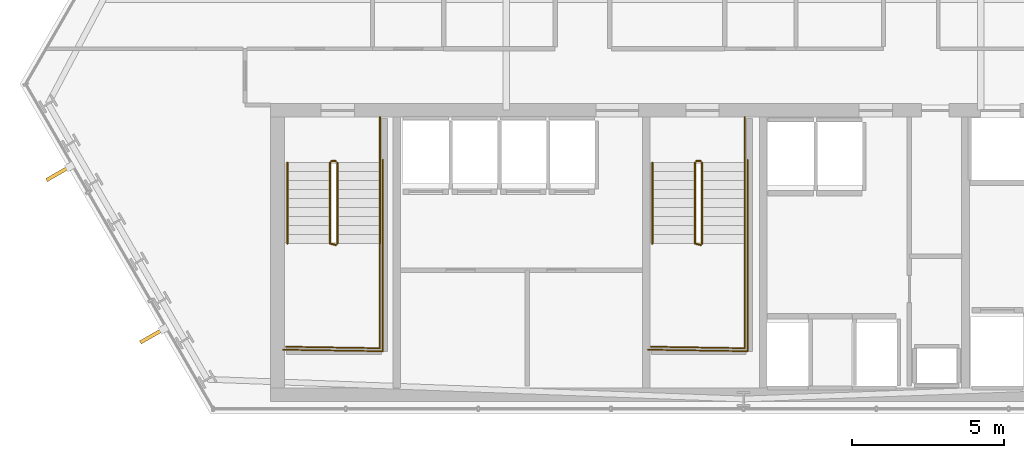
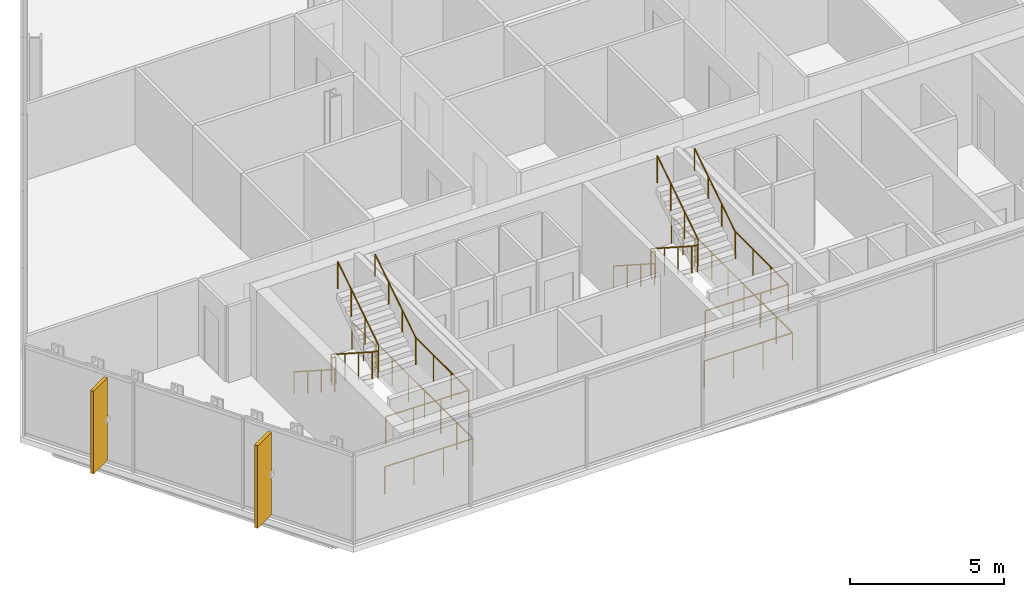
# One storey, part 29 of 32: 16 railings, 2 shading devices.
"""IFC4 building model written with IfcOpenShell, lengths in metres."""

from ifc_helpers import new_model, si_unit, direction, frame, origin, origin_2d, place, context, subcontext, project, spatial, rectangle, circle, extrude, material, layer, layer_set, type_object, element, save


model = new_model("IFC4")

# Units and contexts
model_context = context("Model", 3, precision=1e-05, world=origin(), true_north=direction((0.0, 1.0)))
body_context = subcontext(model_context, "Body", "Model", "MODEL_VIEW")
ifc_project = project(units=[si_unit("LENGTHUNIT", "METRE"), si_unit("AREAUNIT", "SQUARE_METRE"), si_unit("VOLUMEUNIT", "CUBIC_METRE"), si_unit("PLANEANGLEUNIT", "RADIAN"), si_unit("MASSUNIT", "GRAM", prefix="KILO")], contexts=[model_context])

# Site, building, storey
site_placement = place(None, origin())
site = spatial("IfcSite", under=ifc_project, at=site_placement, CompositionType="ELEMENT")
building_placement = place(site_placement, origin())
building = spatial("IfcBuilding", under=site, at=building_placement, Name="Ndaravel Arena Tower", CompositionType="ELEMENT")
storey_placement = place(building_placement, frame((0.0, 0.0, 130.800048828125)))
storey = spatial("IfcBuildingStorey", under=building, at=storey_placement, Name="L30", CompositionType="ELEMENT", Elevation=130.800048828125)

# Railings
ifc_material_1 = material(Name="Steel S355", Category="steel")
ifc_layer_1 = layer(ifc_material_1, 0.06005859375)
ifc_layer_set_1 = layer_set([ifc_layer_1], Name="Steel S355")
railing_type_1 = type_object("IfcRailingType", Name="RAIL-STAIR-GD1100", PredefinedType="GUARDRAIL", material=ifc_layer_set_1)
railing_1_placement = place(storey_placement, frame((28.39990234375, 13.25, 0.18994140625)))
element("IfcRailing", 1, at=railing_1_placement, inside=storey, type_object=railing_type_1, Name="L30 ST-1 stair guard 1", PredefinedType="GUARDRAIL", context=body_context, shape_type="SweptSolid", body=[
    extrude(circle(Radius=0.02392578125, at=origin_2d()), frame((0.0, 0.0, 1.076171875), z_axis=(0.0, -0.840723540582, 0.54146461409), x_axis=(1.0, 0.0, 0.0)), (0.0, 0.0, 1.0), 3.157958984375),
    extrude(circle(Radius=0.02392578125, at=origin_2d()), frame((0.0, -2.655029296875, 2.7861328125), z_axis=(0.967074537263, -0.25449329928, 0.0), x_axis=(0.25449329928, 0.967074537263, 0.0)), (0.0, 0.0, 1.0), 0.19677734375),
    extrude(circle(Radius=0.02099609375, at=origin_2d()), origin(), (0.0, 0.0, 1.0), 1.052001953125),
    extrude(circle(Radius=0.02099609375, at=origin_2d()), frame((0.0, -0.885009765625, 0.570068359375)), (0.0, 0.0, 1.0), 1.052001953125),
    extrude(circle(Radius=0.02099609375, at=origin_2d()), frame((0.0, -1.77001953125, 1.139892578125)), (0.0, 0.0, 1.0), 1.052001953125),
    extrude(circle(Radius=0.02099609375, at=origin_2d()), frame((0.0, -2.655029296875, 1.7099609375)), (0.0, 0.0, 1.0), 1.052001953125),
    extrude(circle(Radius=0.02099609375, at=origin_2d()), frame((0.190185546875, -2.705078125, 1.7099609375)), (0.0, 0.0, 1.0), 1.052001953125),
])
railing_2_placement = place(storey_placement, frame((30.0400390625, 10.594970703125, 1.89990234375)))
element("IfcRailing", 2, at=railing_2_placement, inside=storey, type_object=railing_type_1, Name="L30 ST-1 stair guard 2", PredefinedType="GUARDRAIL", context=body_context, shape_type="SweptSolid", body=[
    extrude(circle(Radius=0.02392578125, at=origin_2d()), frame((0.0, 0.0, 1.076171875), z_axis=(0.0, -1.0, 0.0), x_axis=(1.0, 0.0, 0.0)), (0.0, 0.0, 1.0), 3.445068359375),
    extrude(circle(Radius=0.02392578125, at=origin_2d()), frame((0.0, -3.445068359375, 1.076171875), z_axis=(-0.999868861343, 0.016194447071, 0.0), x_axis=(-0.016194447071, -0.999868861343, 0.0)), (0.0, 0.0, 1.0), 3.090576171875),
    extrude(circle(Radius=0.02099609375, at=origin_2d()), origin(), (0.0, 0.0, 1.0), 1.052001953125),
    extrude(circle(Radius=0.02099609375, at=origin_2d()), frame((0.0, -1.1484375, 0.0)), (0.0, 0.0, 1.0), 1.052001953125),
    extrude(circle(Radius=0.02099609375, at=origin_2d()), frame((0.0, -2.296630859375, 0.0)), (0.0, 0.0, 1.0), 1.052001953125),
    extrude(circle(Radius=0.02099609375, at=origin_2d()), frame((0.0, -3.445068359375, 0.0)), (0.0, 0.0, 1.0), 1.052001953125),
    extrude(circle(Radius=0.02099609375, at=origin_2d()), frame((-1.030029296875, -3.428466796875, 0.0)), (0.0, 0.0, 1.0), 1.052001953125),
    extrude(circle(Radius=0.02099609375, at=origin_2d()), frame((-2.06005859375, -3.41162109375, 0.0)), (0.0, 0.0, 1.0), 1.052001953125),
    extrude(circle(Radius=0.02099609375, at=origin_2d()), frame((-3.090087890625, -3.39501953125, 0.0)), (0.0, 0.0, 1.0), 1.052001953125),
])
railing_3_placement = place(storey_placement, frame((28.639892578125, 10.594970703125, 2.08984375)))
element("IfcRailing", 3, at=railing_3_placement, inside=storey, type_object=railing_type_1, Name="L30 ST-1 stair guard 3", PredefinedType="GUARDRAIL", context=body_context, shape_type="SweptSolid", body=[
    extrude(circle(Radius=0.02392578125, at=origin_2d()), frame((0.0, 0.0, 1.076171875), z_axis=(0.0, 0.840688348013, 0.541519253134), x_axis=(-1.0, 0.0, 0.0)), (0.0, 0.0, 1.0), 3.158203125),
    extrude(circle(Radius=0.02099609375, at=origin_2d()), origin(), (0.0, 0.0, 1.0), 1.052001953125),
    extrude(circle(Radius=0.02099609375, at=origin_2d()), frame((0.0, 0.885009765625, 0.570068359375)), (0.0, 0.0, 1.0), 1.052001953125),
    extrude(circle(Radius=0.02099609375, at=origin_2d()), frame((0.0, 1.77001953125, 1.14013671875)), (0.0, 0.0, 1.0), 1.052001953125),
    extrude(circle(Radius=0.02099609375, at=origin_2d()), frame((0.0, 2.655029296875, 1.710205078125)), (0.0, 0.0, 1.0), 1.052001953125),
])
railing_4_placement = place(storey_placement, frame((28.449951171875, 13.300048828125, 0.0)))
element("IfcRailing", 4, at=railing_4_placement, inside=storey, type_object=railing_type_1, Name="L30 ST-1 stair guard 4", PredefinedType="GUARDRAIL", context=body_context, shape_type="SweptSolid", body=[
    extrude(circle(Radius=0.02392578125, at=origin_2d()), frame((0.0, 0.0, 1.076171875), z_axis=(1.0, 0.0, 0.0), x_axis=(0.0, 1.0, 0.0)), (0.0, 0.0, 1.0), 0.14013671875),
    extrude(circle(Radius=0.02099609375, at=origin_2d()), origin(), (0.0, 0.0, 1.0), 1.052001953125),
    extrude(circle(Radius=0.02099609375, at=origin_2d()), frame((0.14013671875, 0.0, 0.0)), (0.0, 0.0, 1.0), 1.052001953125),
])
railing_5_placement = place(storey_placement, frame((30.0400390625, 14.75, 0.0)))
element("IfcRailing", 5, at=railing_5_placement, inside=storey, type_object=railing_type_1, Name="L30 ST-1 stair guard 5", PredefinedType="GUARDRAIL", context=body_context, shape_type="SweptSolid", body=[
    extrude(circle(Radius=0.02392578125, at=origin_2d()), frame((0.0, 0.0, 1.076171875), z_axis=(0.0, -1.0, 0.0), x_axis=(1.0, 0.0, 0.0)), (0.0, 0.0, 1.0), 1.5),
    extrude(circle(Radius=0.02099609375, at=origin_2d()), origin(), (0.0, 0.0, 1.0), 1.052001953125),
    extrude(circle(Radius=0.02099609375, at=origin_2d()), frame((0.0, -0.75, 0.0)), (0.0, 0.0, 1.0), 1.052001953125),
    extrude(circle(Radius=0.02099609375, at=origin_2d()), frame((0.0, -1.5, 0.0)), (0.0, 0.0, 1.0), 1.052001953125),
])
railing_6_placement = place(storey_placement, frame((30.139892578125, 13.35009765625, 0.0)))
element("IfcRailing", 6, at=railing_6_placement, inside=storey, type_object=railing_type_1, Name="L30 ST-1 stair guard 6", PredefinedType="GUARDRAIL", context=body_context, shape_type="SweptSolid", body=[
    extrude(circle(Radius=0.02392578125, at=origin_2d()), frame((0.0, 0.0, 1.076171875), z_axis=(0.0, -1.0, 0.0), x_axis=(1.0, 0.0, 0.0)), (0.0, 0.0, 1.0), 6.300048828125),
    extrude(circle(Radius=0.02392578125, at=origin_2d()), frame((0.0, -6.300048828125, 1.076171875), z_axis=(-0.999884296952, 0.015211597839, 0.0), x_axis=(-0.015211597839, -0.999884296952, 0.0)), (0.0, 0.0, 1.0), 3.290283203125),
    extrude(circle(Radius=0.02099609375, at=origin_2d()), origin(), (0.0, 0.0, 1.0), 1.052001953125),
    extrude(circle(Radius=0.02099609375, at=origin_2d()), frame((0.0, -1.050048828125, 0.0)), (0.0, 0.0, 1.0), 1.052001953125),
    extrude(circle(Radius=0.02099609375, at=origin_2d()), frame((0.0, -2.10009765625, 0.0)), (0.0, 0.0, 1.0), 1.052001953125),
    extrude(circle(Radius=0.02099609375, at=origin_2d()), frame((0.0, -3.14990234375, 0.0)), (0.0, 0.0, 1.0), 1.052001953125),
    extrude(circle(Radius=0.02099609375, at=origin_2d()), frame((0.0, -4.199951171875, 0.0)), (0.0, 0.0, 1.0), 1.052001953125),
    extrude(circle(Radius=0.02099609375, at=origin_2d()), frame((0.0, -5.25, 0.0)), (0.0, 0.0, 1.0), 1.052001953125),
    extrude(circle(Radius=0.02099609375, at=origin_2d()), frame((0.0, -6.300048828125, 0.0)), (0.0, 0.0, 1.0), 1.052001953125),
    extrude(circle(Radius=0.02099609375, at=origin_2d()), frame((-1.0966796875, -6.283447265625, 0.0)), (0.0, 0.0, 1.0), 1.052001953125),
    extrude(circle(Radius=0.02099609375, at=origin_2d()), frame((-2.193115234375, -6.2666015625, 0.0)), (0.0, 0.0, 1.0), 1.052001953125),
    extrude(circle(Radius=0.02099609375, at=origin_2d()), frame((-3.289794921875, -6.25, 0.0)), (0.0, 0.0, 1.0), 1.052001953125),
])
railing_7_placement = place(storey_placement, frame((40.39990234375, 13.25, 0.18994140625)))
element("IfcRailing", 7, at=railing_7_placement, inside=storey, type_object=railing_type_1, Name="L30 ST-2 stair guard 1", PredefinedType="GUARDRAIL", context=body_context, shape_type="SweptSolid", body=[
    extrude(circle(Radius=0.02392578125, at=origin_2d()), frame((0.0, 0.0, 1.076171875), z_axis=(0.0, -0.840723540582, 0.54146461409), x_axis=(1.0, 0.0, 0.0)), (0.0, 0.0, 1.0), 3.157958984375),
    extrude(circle(Radius=0.02392578125, at=origin_2d()), frame((0.0, -2.655029296875, 2.7861328125), z_axis=(0.967074537263, -0.25449329928, 0.0), x_axis=(0.25449329928, 0.967074537263, 0.0)), (0.0, 0.0, 1.0), 0.19677734375),
    extrude(circle(Radius=0.02099609375, at=origin_2d()), origin(), (0.0, 0.0, 1.0), 1.052001953125),
    extrude(circle(Radius=0.02099609375, at=origin_2d()), frame((0.0, -0.885009765625, 0.570068359375)), (0.0, 0.0, 1.0), 1.052001953125),
    extrude(circle(Radius=0.02099609375, at=origin_2d()), frame((0.0, -1.77001953125, 1.139892578125)), (0.0, 0.0, 1.0), 1.052001953125),
    extrude(circle(Radius=0.02099609375, at=origin_2d()), frame((0.0, -2.655029296875, 1.7099609375)), (0.0, 0.0, 1.0), 1.052001953125),
    extrude(circle(Radius=0.02099609375, at=origin_2d()), frame((0.190185546875, -2.705078125, 1.7099609375)), (0.0, 0.0, 1.0), 1.052001953125),
])
railing_8_placement = place(storey_placement, frame((42.0400390625, 10.594970703125, 1.89990234375)))
element("IfcRailing", 8, at=railing_8_placement, inside=storey, type_object=railing_type_1, Name="L30 ST-2 stair guard 2", PredefinedType="GUARDRAIL", context=body_context, shape_type="SweptSolid", body=[
    extrude(circle(Radius=0.02392578125, at=origin_2d()), frame((0.0, 0.0, 1.076171875), z_axis=(0.0, -1.0, 0.0), x_axis=(1.0, 0.0, 0.0)), (0.0, 0.0, 1.0), 3.445068359375),
    extrude(circle(Radius=0.02392578125, at=origin_2d()), frame((0.0, -3.445068359375, 1.076171875), z_axis=(-0.999868861343, 0.016194447071, 0.0), x_axis=(-0.016194447071, -0.999868861343, 0.0)), (0.0, 0.0, 1.0), 3.090576171875),
    extrude(circle(Radius=0.02099609375, at=origin_2d()), origin(), (0.0, 0.0, 1.0), 1.052001953125),
    extrude(circle(Radius=0.02099609375, at=origin_2d()), frame((0.0, -1.1484375, 0.0)), (0.0, 0.0, 1.0), 1.052001953125),
    extrude(circle(Radius=0.02099609375, at=origin_2d()), frame((0.0, -2.296630859375, 0.0)), (0.0, 0.0, 1.0), 1.052001953125),
    extrude(circle(Radius=0.02099609375, at=origin_2d()), frame((0.0, -3.445068359375, 0.0)), (0.0, 0.0, 1.0), 1.052001953125),
    extrude(circle(Radius=0.02099609375, at=origin_2d()), frame((-1.030029296875, -3.428466796875, 0.0)), (0.0, 0.0, 1.0), 1.052001953125),
    extrude(circle(Radius=0.02099609375, at=origin_2d()), frame((-2.06005859375, -3.41162109375, 0.0)), (0.0, 0.0, 1.0), 1.052001953125),
    extrude(circle(Radius=0.02099609375, at=origin_2d()), frame((-3.090087890625, -3.39501953125, 0.0)), (0.0, 0.0, 1.0), 1.052001953125),
])
railing_9_placement = place(storey_placement, frame((40.639892578125, 10.594970703125, 2.08984375)))
element("IfcRailing", 9, at=railing_9_placement, inside=storey, type_object=railing_type_1, Name="L30 ST-2 stair guard 3", PredefinedType="GUARDRAIL", context=body_context, shape_type="SweptSolid", body=[
    extrude(circle(Radius=0.02392578125, at=origin_2d()), frame((0.0, 0.0, 1.076171875), z_axis=(0.0, 0.840688348013, 0.541519253134), x_axis=(-1.0, 0.0, 0.0)), (0.0, 0.0, 1.0), 3.158203125),
    extrude(circle(Radius=0.02099609375, at=origin_2d()), origin(), (0.0, 0.0, 1.0), 1.052001953125),
    extrude(circle(Radius=0.02099609375, at=origin_2d()), frame((0.0, 0.885009765625, 0.570068359375)), (0.0, 0.0, 1.0), 1.052001953125),
    extrude(circle(Radius=0.02099609375, at=origin_2d()), frame((0.0, 1.77001953125, 1.14013671875)), (0.0, 0.0, 1.0), 1.052001953125),
    extrude(circle(Radius=0.02099609375, at=origin_2d()), frame((0.0, 2.655029296875, 1.710205078125)), (0.0, 0.0, 1.0), 1.052001953125),
])
railing_10_placement = place(storey_placement, frame((40.449951171875, 13.300048828125, 0.0)))
element("IfcRailing", 10, at=railing_10_placement, inside=storey, type_object=railing_type_1, Name="L30 ST-2 stair guard 4", PredefinedType="GUARDRAIL", context=body_context, shape_type="SweptSolid", body=[
    extrude(circle(Radius=0.02392578125, at=origin_2d()), frame((0.0, 0.0, 1.076171875), z_axis=(1.0, 0.0, 0.0), x_axis=(0.0, 1.0, 0.0)), (0.0, 0.0, 1.0), 0.14013671875),
    extrude(circle(Radius=0.02099609375, at=origin_2d()), origin(), (0.0, 0.0, 1.0), 1.052001953125),
    extrude(circle(Radius=0.02099609375, at=origin_2d()), frame((0.14013671875, 0.0, 0.0)), (0.0, 0.0, 1.0), 1.052001953125),
])
railing_11_placement = place(storey_placement, frame((42.0400390625, 14.75, 0.0)))
element("IfcRailing", 11, at=railing_11_placement, inside=storey, type_object=railing_type_1, Name="L30 ST-2 stair guard 5", PredefinedType="GUARDRAIL", context=body_context, shape_type="SweptSolid", body=[
    extrude(circle(Radius=0.02392578125, at=origin_2d()), frame((0.0, 0.0, 1.076171875), z_axis=(0.0, -1.0, 0.0), x_axis=(1.0, 0.0, 0.0)), (0.0, 0.0, 1.0), 1.5),
    extrude(circle(Radius=0.02099609375, at=origin_2d()), origin(), (0.0, 0.0, 1.0), 1.052001953125),
    extrude(circle(Radius=0.02099609375, at=origin_2d()), frame((0.0, -0.75, 0.0)), (0.0, 0.0, 1.0), 1.052001953125),
    extrude(circle(Radius=0.02099609375, at=origin_2d()), frame((0.0, -1.5, 0.0)), (0.0, 0.0, 1.0), 1.052001953125),
])
railing_12_placement = place(storey_placement, frame((42.139892578125, 13.35009765625, 0.0)))
element("IfcRailing", 12, at=railing_12_placement, inside=storey, type_object=railing_type_1, Name="L30 ST-2 stair guard 6", PredefinedType="GUARDRAIL", context=body_context, shape_type="SweptSolid", body=[
    extrude(circle(Radius=0.02392578125, at=origin_2d()), frame((0.0, 0.0, 1.076171875), z_axis=(0.0, -1.0, 0.0), x_axis=(1.0, 0.0, 0.0)), (0.0, 0.0, 1.0), 6.300048828125),
    extrude(circle(Radius=0.02392578125, at=origin_2d()), frame((0.0, -6.300048828125, 1.076171875), z_axis=(-0.999884296952, 0.015211597839, 0.0), x_axis=(-0.015211597839, -0.999884296952, 0.0)), (0.0, 0.0, 1.0), 3.290283203125),
    extrude(circle(Radius=0.02099609375, at=origin_2d()), origin(), (0.0, 0.0, 1.0), 1.052001953125),
    extrude(circle(Radius=0.02099609375, at=origin_2d()), frame((0.0, -1.050048828125, 0.0)), (0.0, 0.0, 1.0), 1.052001953125),
    extrude(circle(Radius=0.02099609375, at=origin_2d()), frame((0.0, -2.10009765625, 0.0)), (0.0, 0.0, 1.0), 1.052001953125),
    extrude(circle(Radius=0.02099609375, at=origin_2d()), frame((0.0, -3.14990234375, 0.0)), (0.0, 0.0, 1.0), 1.052001953125),
    extrude(circle(Radius=0.02099609375, at=origin_2d()), frame((0.0, -4.199951171875, 0.0)), (0.0, 0.0, 1.0), 1.052001953125),
    extrude(circle(Radius=0.02099609375, at=origin_2d()), frame((0.0, -5.25, 0.0)), (0.0, 0.0, 1.0), 1.052001953125),
    extrude(circle(Radius=0.02099609375, at=origin_2d()), frame((0.0, -6.300048828125, 0.0)), (0.0, 0.0, 1.0), 1.052001953125),
    extrude(circle(Radius=0.02099609375, at=origin_2d()), frame((-1.0966796875, -6.283447265625, 0.0)), (0.0, 0.0, 1.0), 1.052001953125),
    extrude(circle(Radius=0.02099609375, at=origin_2d()), frame((-2.193115234375, -6.2666015625, 0.0)), (0.0, 0.0, 1.0), 1.052001953125),
    extrude(circle(Radius=0.02099609375, at=origin_2d()), frame((-3.289794921875, -6.25, 0.0)), (0.0, 0.0, 1.0), 1.052001953125),
])
ifc_material_2 = material(Name="Steel S355", Category="steel")
ifc_layer_2 = layer(ifc_material_2, 0.050048828125)
ifc_layer_set_2 = layer_set([ifc_layer_2], Name="Steel S355")
railing_type_2 = type_object("IfcRailingType", Name="RAIL-STAIR-HR920", PredefinedType="HANDRAIL", material=ifc_layer_set_2)
railing_13_placement = place(storey_placement, frame((27.0, 13.25, 0.18994140625)))
element("IfcRailing", 13, at=railing_13_placement, inside=storey, type_object=railing_type_2, Name="L30 ST-1 stair handrail 1", PredefinedType="HANDRAIL", context=body_context, shape_type="SweptSolid", body=[
    extrude(circle(Radius=0.02392578125, at=origin_2d()), frame((0.0, 0.0, 0.8759765625), z_axis=(0.0, -0.840723540582, 0.54146461409), x_axis=(1.0, 0.0, 0.0)), (0.0, 0.0, 1.0), 3.157958984375),
    extrude(circle(Radius=0.02099609375, at=origin_2d()), origin(), (0.0, 0.0, 1.0), 0.851806640625),
    extrude(circle(Radius=0.02099609375, at=origin_2d()), frame((0.0, -0.885009765625, 0.570068359375)), (0.0, 0.0, 1.0), 0.851806640625),
    extrude(circle(Radius=0.02099609375, at=origin_2d()), frame((0.0, -1.77001953125, 1.139892578125)), (0.0, 0.0, 1.0), 0.851806640625),
    extrude(circle(Radius=0.02099609375, at=origin_2d()), frame((0.0, -2.655029296875, 1.7099609375)), (0.0, 0.0, 1.0), 0.851806640625),
])
railing_14_placement = place(storey_placement, frame((30.0400390625, 10.594970703125, 2.08984375)))
element("IfcRailing", 14, at=railing_14_placement, inside=storey, type_object=railing_type_2, Name="L30 ST-1 stair handrail 2", PredefinedType="HANDRAIL", context=body_context, shape_type="SweptSolid", body=[
    extrude(circle(Radius=0.02392578125, at=origin_2d()), frame((0.0, 0.0, 0.8759765625), z_axis=(0.0, 0.840688348013, 0.541519253134), x_axis=(-1.0, 0.0, 0.0)), (0.0, 0.0, 1.0), 3.158203125),
    extrude(circle(Radius=0.02099609375, at=origin_2d()), origin(), (0.0, 0.0, 1.0), 0.851806640625),
    extrude(circle(Radius=0.02099609375, at=origin_2d()), frame((0.0, 0.885009765625, 0.570068359375)), (0.0, 0.0, 1.0), 0.851806640625),
    extrude(circle(Radius=0.02099609375, at=origin_2d()), frame((0.0, 1.77001953125, 1.14013671875)), (0.0, 0.0, 1.0), 0.851806640625),
    extrude(circle(Radius=0.02099609375, at=origin_2d()), frame((0.0, 2.655029296875, 1.710205078125)), (0.0, 0.0, 1.0), 0.851806640625),
])
railing_15_placement = place(storey_placement, frame((39.0, 13.25, 0.18994140625)))
element("IfcRailing", 15, at=railing_15_placement, inside=storey, type_object=railing_type_2, Name="L30 ST-2 stair handrail 1", PredefinedType="HANDRAIL", context=body_context, shape_type="SweptSolid", body=[
    extrude(circle(Radius=0.02392578125, at=origin_2d()), frame((0.0, 0.0, 0.8759765625), z_axis=(0.0, -0.840723540582, 0.54146461409), x_axis=(1.0, 0.0, 0.0)), (0.0, 0.0, 1.0), 3.157958984375),
    extrude(circle(Radius=0.02099609375, at=origin_2d()), origin(), (0.0, 0.0, 1.0), 0.851806640625),
    extrude(circle(Radius=0.02099609375, at=origin_2d()), frame((0.0, -0.885009765625, 0.570068359375)), (0.0, 0.0, 1.0), 0.851806640625),
    extrude(circle(Radius=0.02099609375, at=origin_2d()), frame((0.0, -1.77001953125, 1.139892578125)), (0.0, 0.0, 1.0), 0.851806640625),
    extrude(circle(Radius=0.02099609375, at=origin_2d()), frame((0.0, -2.655029296875, 1.7099609375)), (0.0, 0.0, 1.0), 0.851806640625),
])
railing_16_placement = place(storey_placement, frame((42.0400390625, 10.594970703125, 2.08984375)))
element("IfcRailing", 16, at=railing_16_placement, inside=storey, type_object=railing_type_2, Name="L30 ST-2 stair handrail 2", PredefinedType="HANDRAIL", context=body_context, shape_type="SweptSolid", body=[
    extrude(circle(Radius=0.02392578125, at=origin_2d()), frame((0.0, 0.0, 0.8759765625), z_axis=(0.0, 0.840688348013, 0.541519253134), x_axis=(-1.0, 0.0, 0.0)), (0.0, 0.0, 1.0), 3.158203125),
    extrude(circle(Radius=0.02099609375, at=origin_2d()), origin(), (0.0, 0.0, 1.0), 0.851806640625),
    extrude(circle(Radius=0.02099609375, at=origin_2d()), frame((0.0, 0.885009765625, 0.570068359375)), (0.0, 0.0, 1.0), 0.851806640625),
    extrude(circle(Radius=0.02099609375, at=origin_2d()), frame((0.0, 1.77001953125, 1.14013671875)), (0.0, 0.0, 1.0), 0.851806640625),
    extrude(circle(Radius=0.02099609375, at=origin_2d()), frame((0.0, 2.655029296875, 1.710205078125)), (0.0, 0.0, 1.0), 0.851806640625),
])

# Shading devices
ifc_material_3 = material(Name="Masonry", Category="masonry")
shading_device_type = type_object("IfcShadingDeviceType", Name="SHD-MAZERAS-FIN", PredefinedType="SHUTTER", material=ifc_material_3)
for number, where, z_axis, x_axis, name in (
    (17, (19.468017578125, 12.90380859375, 0.14990234375), (0.0, 0.0, 1.0), (-0.866025403784, -0.5, 0.0), "L30 Mazeras Stone Solar Fin E6.1"),
    (18, (22.55126953125, 7.563232421875, 0.14990234375), (0.0, 0.0, 1.0), (-0.866025403784, -0.5, 0.0), "L30 Mazeras Stone Solar Fin E6.2"),
):
    element("IfcShadingDevice", number, at=place(storey_placement, frame(where, z_axis=z_axis, x_axis=x_axis)), inside=storey, type_object=shading_device_type, Name=name, PredefinedType="SHUTTER", context=body_context, shape_type="SweptSolid", body=[
        extrude(rectangle(XDim=0.89990234375, YDim=0.1201171875, at=origin_2d()), origin(), (0.0, 0.0, 1.0), 3.280029296875),
    ])

save(model, "model.ifc")
